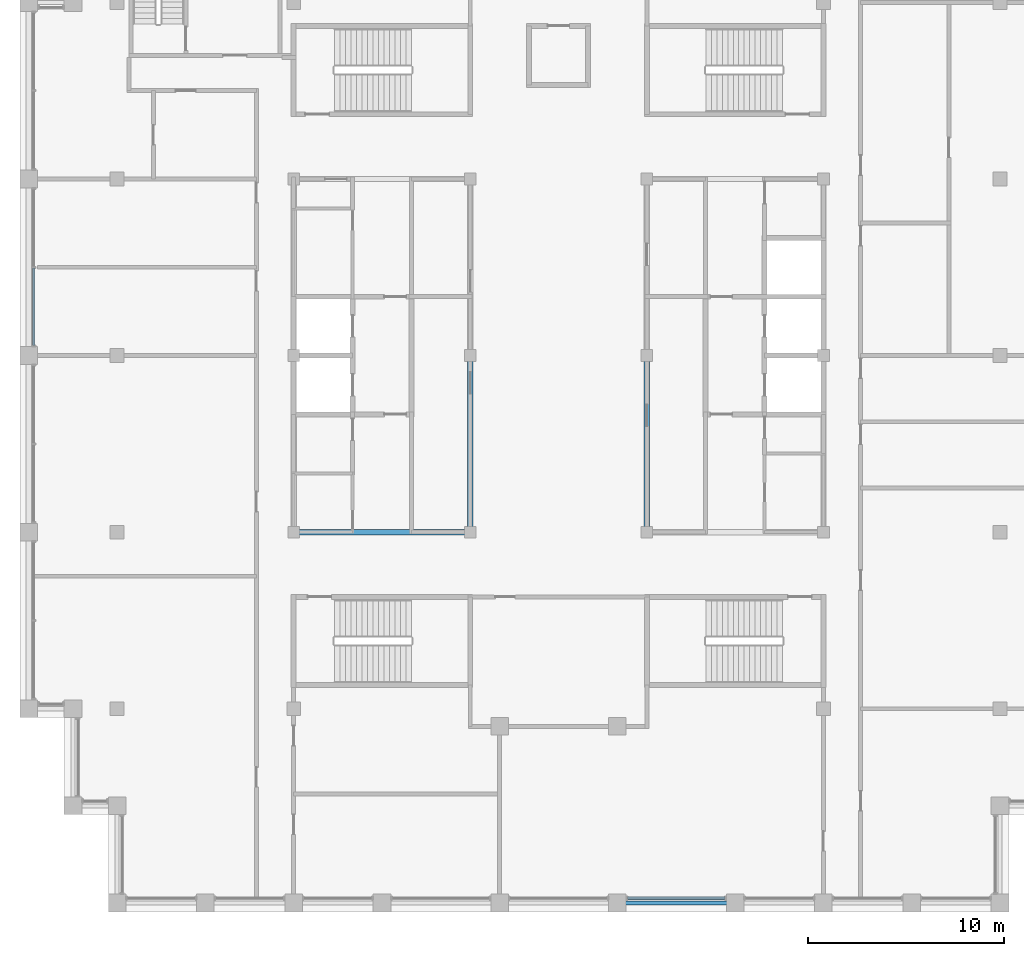
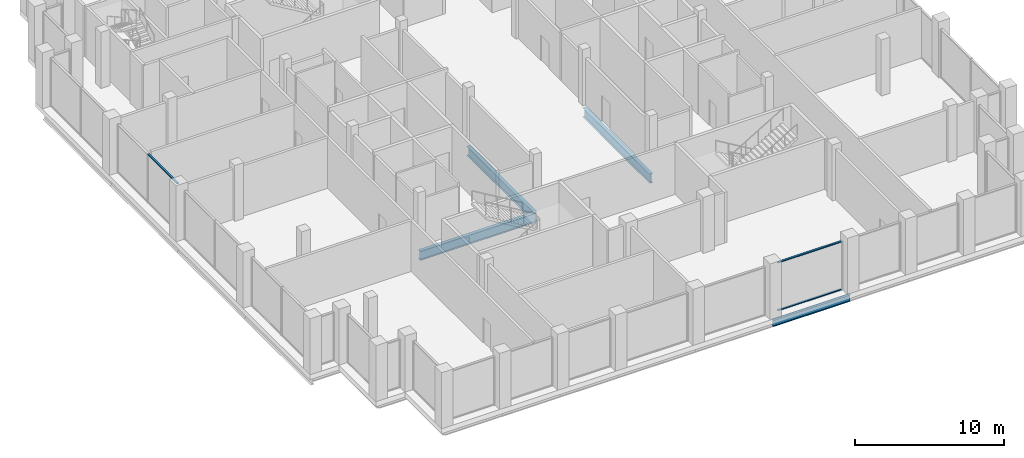
# One storey, part 3 of 13: 4 beams, 3 members, 2 elements without a shape of their own.
"""IFC4 building model written with IfcOpenShell, lengths in metres."""

from ifc_helpers import new_model, si_unit, direction, frame, origin, origin_2d, place, context, subcontext, project, spatial, rectangle, i_section, extrude, material, layer, layer_set, material_profile, profile_set, type_object, element, aggregate, save


model = new_model("IFC4")

# Units and contexts
model_context = context("Model", 3, precision=1e-05, world=origin(), true_north=direction((0.0, 1.0)))
body_context = subcontext(model_context, "Body", "Model", "MODEL_VIEW")
ifc_project = project(units=[si_unit("LENGTHUNIT", "METRE"), si_unit("AREAUNIT", "SQUARE_METRE"), si_unit("VOLUMEUNIT", "CUBIC_METRE"), si_unit("PLANEANGLEUNIT", "RADIAN"), si_unit("MASSUNIT", "GRAM", prefix="KILO")], contexts=[model_context])

# Site, building, storey
site_placement = place(None, origin())
site = spatial("IfcSite", under=ifc_project, at=site_placement, CompositionType="ELEMENT")
building_placement = place(site_placement, origin())
building = spatial("IfcBuilding", under=site, at=building_placement, Name="Corbelhall Arena Tower", CompositionType="ELEMENT")
storey_placement = place(building_placement, frame((0.0, 0.0, 361.0)))
storey = spatial("IfcBuildingStorey", under=building, at=storey_placement, Name="L79", CompositionType="ELEMENT", Elevation=361.0)

# Curtain wall, member
ifc_material_1 = material(Name="Aluminium black anodised", Category="aluminium")
ifc_layer = layer(ifc_material_1, 0.179931640625)
ifc_layer_set = layer_set([ifc_layer], Name="EV-CW3 Crown glazing")
curtain_wall_type = type_object("IfcCurtainWallType", Name="EV-CW3 Crown glazing", PredefinedType="NOTDEFINED", material=ifc_layer_set)
curtain_wall_1_placement = place(storey_placement, origin())
curtain_wall_1 = element("IfcCurtainWall", 1, at=curtain_wall_1_placement, inside=storey, type_object=curtain_wall_type, Name="Curtain wall CW3", PredefinedType="NOTDEFINED")
ifc_material_profile_1 = material_profile(ifc_material_1, rectangle(XDim=0.14990234375, YDim=0.074951171875, at=origin_2d()))
ifc_profile_set_1 = profile_set([ifc_material_profile_1], Name="Aluminium black anodised")
member_type = type_object("IfcMemberType", Name="EV-CW3-TRANSOM", PredefinedType="USERDEFINED", material=ifc_profile_set_1)
member_1_placement = place(storey_placement, frame((-26.75, 4.46240234375, 3.962158203125), z_axis=(0.0, -1.0, 0.0), x_axis=(1.0, 0.0, 0.0)))
member_1 = element("IfcMember", 2, at=member_1_placement, type_object=member_type, Name="CW3 transom 2.2", ObjectType="transom", PredefinedType="USERDEFINED", context=body_context, shape_type="SweptSolid", body=[
    extrude(rectangle(XDim=0.14990234375, YDim=0.074951171875, at=origin_2d()), origin(), (0.0, 0.0, 1.0), 3.9375),
])
aggregate(curtain_wall_1, [member_1])

# Curtain wall, members
curtain_wall_2_placement = place(storey_placement, origin())
curtain_wall_2 = element("IfcCurtainWall", 3, at=curtain_wall_2_placement, inside=storey, type_object=curtain_wall_type, Name="Curtain wall CW3C", PredefinedType="NOTDEFINED")
member_2_placement = place(storey_placement, frame((3.52490234375, -27.64990234375, 0.03759765625), z_axis=(1.0, 0.0, 0.0), x_axis=(0.0, 1.0, 0.0)))
member_2 = element("IfcMember", 4, at=member_2_placement, type_object=member_type, Name="CW3C transom 1.1", ObjectType="transom", PredefinedType="USERDEFINED", context=body_context, shape_type="SweptSolid", body=[
    extrude(rectangle(XDim=0.14990234375, YDim=0.074951171875, at=origin_2d()), origin(), (0.0, 0.0, 1.0), 4.9501953125),
])
member_3_placement = place(storey_placement, frame((3.52490234375, -27.64990234375, 3.962158203125), z_axis=(1.0, 0.0, 0.0), x_axis=(0.0, 1.0, 0.0)))
member_3 = element("IfcMember", 5, at=member_3_placement, type_object=member_type, Name="CW3C transom 1.2", ObjectType="transom", PredefinedType="USERDEFINED", context=body_context, shape_type="SweptSolid", body=[
    extrude(rectangle(XDim=0.14990234375, YDim=0.074951171875, at=origin_2d()), origin(), (0.0, 0.0, 1.0), 4.9501953125),
])
aggregate(curtain_wall_2, [member_2, member_3])

# Beams
ifc_material_2 = material(Name="Steel ASTM A992 Gr50", Category="steel")
ifc_material_profile_2 = material_profile(ifc_material_2, i_section(OverallWidth=0.2666015625, OverallDepth=0.761962890625, WebThickness=0.014404296875, FlangeThickness=0.021484375, at=origin_2d()))
ifc_profile_set_2 = profile_set([ifc_material_profile_2], Name="Steel ASTM A992 Gr50")
beam_type_1 = type_object("IfcBeamType", Name="ST-BEAM-W30x116", PredefinedType="BEAM", material=ifc_profile_set_2)
for number, where, z_axis, x_axis, name in (
    (6, (-4.5, -9.0, -0.781494140625), (0.0, 1.0, 0.0), (-1.0, 0.0, 0.0), "Beam CEW 3"),
    (7, (-13.5, -9.0, -0.781494140625), (1.0, 0.0, 0.0), (0.0, 1.0, 0.0), "Beam CEW 5"),
    (8, (4.5, -9.0, -0.781494140625), (0.0, 1.0, 0.0), (-1.0, 0.0, 0.0), "Beam CEE 7"),
):
    element("IfcBeam", number, at=place(storey_placement, frame(where, z_axis=z_axis, x_axis=x_axis)), inside=storey, type_object=beam_type_1, Name=name, PredefinedType="BEAM", context=body_context, shape_type="SweptSolid", body=[
        extrude(i_section(OverallWidth=0.2666015625, OverallDepth=0.761962890625, WebThickness=0.014404296875, FlangeThickness=0.021484375, at=origin_2d()), origin(), (0.0, 0.0, 1.0), 9.0),
    ])
ifc_material_profile_3 = material_profile(ifc_material_2, i_section(OverallWidth=0.2099609375, OverallDepth=0.535888671875, WebThickness=0.010986328125, FlangeThickness=0.017333984375, at=origin_2d()))
ifc_profile_set_3 = profile_set([ifc_material_profile_3], Name="Steel ASTM A992 Gr50")
beam_type_2 = type_object("IfcBeamType", Name="ST-SPANDREL-W21x68", PredefinedType="SPANDREL", material=ifc_profile_set_3)
beam_placement = place(storey_placement, frame((9.0, -27.89990234375, -0.66845703125), z_axis=(-1.0, 0.0, 0.0), x_axis=(0.0, -1.0, 0.0)))
element("IfcBeam", 9, at=beam_placement, inside=storey, type_object=beam_type_2, Name="Beam SP 17", PredefinedType="SPANDREL", context=body_context, shape_type="SweptSolid", body=[
    extrude(i_section(OverallWidth=0.2099609375, OverallDepth=0.535888671875, WebThickness=0.010986328125, FlangeThickness=0.017333984375, at=origin_2d()), origin(), (0.0, 0.0, 1.0), 6.0),
])

save(model, "model.ifc")
